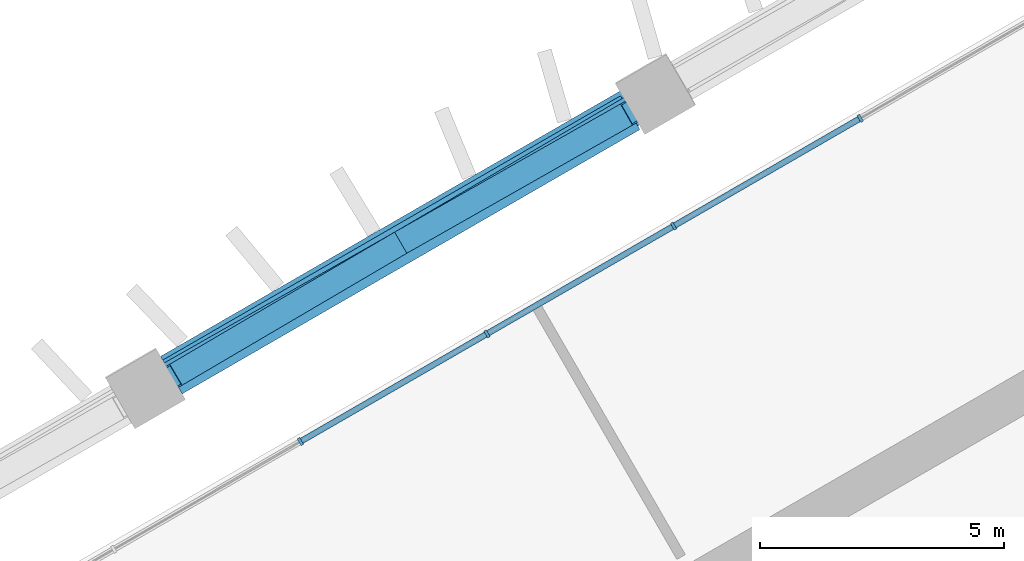
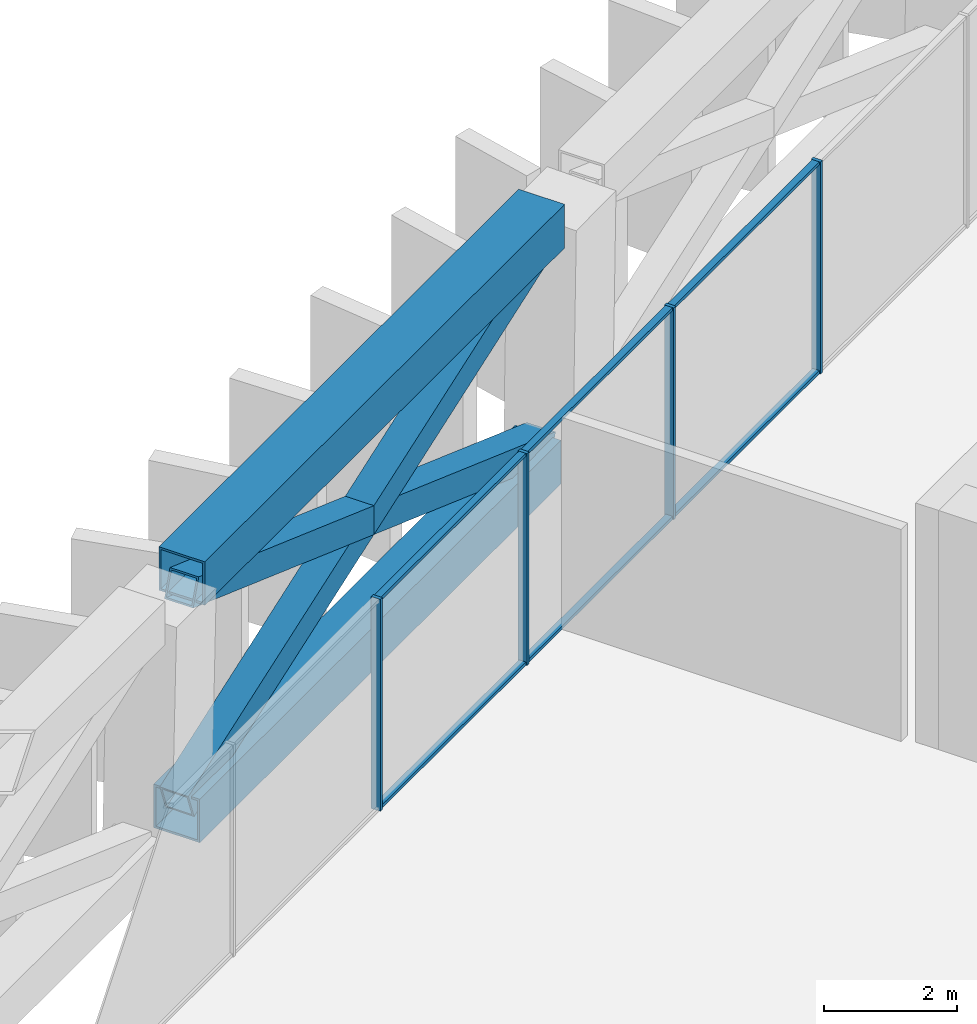
# One storey, part 9 of 18: 14 members, 1 element without a shape of its own.
"""IFC4 building model written with IfcOpenShell, lengths in metres."""

from ifc_helpers import new_model, si_unit, direction, frame, origin, origin_2d, place, context, subcontext, project, spatial, rectangle, hollow_rectangle, extrude, material, layer, layer_set, material_profile, profile_set, type_object, element, aggregate, save


model = new_model("IFC4")

# Units and contexts
model_context = context("Model", 3, precision=1e-05, world=origin(), true_north=direction((0.0, 1.0)))
body_context = subcontext(model_context, "Body", "Model", "MODEL_VIEW")
ifc_project = project(units=[si_unit("LENGTHUNIT", "METRE"), si_unit("AREAUNIT", "SQUARE_METRE"), si_unit("VOLUMEUNIT", "CUBIC_METRE"), si_unit("PLANEANGLEUNIT", "RADIAN"), si_unit("MASSUNIT", "GRAM", prefix="KILO")], contexts=[model_context])

# Site, building, storey
site_placement = place(None, origin())
site = spatial("IfcSite", under=ifc_project, at=site_placement, CompositionType="ELEMENT")
building_placement = place(site_placement, origin())
building = spatial("IfcBuilding", under=site, at=building_placement, Name="Jabali Bay Hotel Tower and Convention Centre", CompositionType="ELEMENT")
storey_placement = place(building_placement, frame((0.0, 0.0, 52.89990234375)))
storey = spatial("IfcBuildingStorey", under=building, at=storey_placement, Name="L11", CompositionType="ELEMENT", Elevation=52.89990234375)

# Members
ifc_material_1 = material(Name="Steel Q420GJC", Category="steel")
ifc_material_profile_1 = material_profile(ifc_material_1, hollow_rectangle(XDim=0.5, YDim=0.5, WallThickness=0.030029296875, at=origin_2d()), Name="Belt brace 500x500x30")
ifc_profile_set_1 = profile_set([ifc_material_profile_1], Name="Steel Q420GJC")
member_type_1 = type_object("IfcMemberType", Name="Belt brace 500x500x30", PredefinedType="BRACE", material=ifc_profile_set_1)
member_1_placement = place(storey_placement, frame((73.1640625, 106.171630859375, 0.21826171875), z_axis=(-0.810373063669, -0.475851500958, 0.341849157841), x_axis=(0.506357064976, -0.862323908255, 0.0)))
element("IfcMember", 1, at=member_1_placement, inside=storey, type_object=member_type_1, Name="Belt brace T1 F1.2-F1.3 x1", PredefinedType="BRACE", context=body_context, shape_type="SweptSolid", body=[
    extrude(hollow_rectangle(XDim=0.5, YDim=0.5, WallThickness=0.030029296875, at=origin_2d()), origin(), (0.0, 0.0, 1.0), 11.5947265625),
])
member_2_placement = place(storey_placement, frame((63.72802734375, 100.7236328125, 0.21923828125), z_axis=(0.816922503368, 0.463663288519, 0.343007257023), x_axis=(-0.493609199547, 0.869683826527, 0.0)))
element("IfcMember", 2, at=member_2_placement, inside=storey, type_object=member_type_1, Name="Belt brace T1 F1.2-F1.3 x2", PredefinedType="BRACE", context=body_context, shape_type="SweptSolid", body=[
    extrude(hollow_rectangle(XDim=0.5, YDim=0.5, WallThickness=0.030029296875, at=origin_2d()), origin(), (0.0, 0.0, 1.0), 11.5498046875),
])
ifc_material_profile_2 = material_profile(ifc_material_1, hollow_rectangle(XDim=0.800048828125, YDim=0.800048828125, WallThickness=0.0400390625, at=origin_2d()), Name="Belt chord 800x800x40")
ifc_profile_set_2 = profile_set([ifc_material_profile_2], Name="Steel Q420GJC")
member_type_2 = type_object("IfcMemberType", Name="Belt chord 800x800x40", PredefinedType="CHORD", material=ifc_profile_set_2)
member_3_placement = place(storey_placement, frame((73.161865234375, 106.175537109375, 0.0), z_axis=(-0.866021405433, -0.500006925284, 0.0), x_axis=(0.500006925284, -0.866021405433, 0.0)))
element("IfcMember", 3, at=member_3_placement, inside=storey, type_object=member_type_2, Name="Belt chord T1 F1.2-F1.3", PredefinedType="CHORD", context=body_context, shape_type="SweptSolid", body=[
    extrude(hollow_rectangle(XDim=0.800048828125, YDim=0.800048828125, WallThickness=0.0400390625, at=origin_2d()), origin(), (0.0, 0.0, 1.0), 10.895751953125),
])
member_4_placement = place(storey_placement, frame((73.16552734375, 106.074951171875, 4.400146484375), z_axis=(-0.866027064346, -0.499997123812, 0.0), x_axis=(0.499997123812, -0.866027064346, 0.0)))
element("IfcMember", 4, at=member_4_placement, inside=storey, type_object=member_type_2, Name="Belt chord T1 F1.2-F1.3", PredefinedType="CHORD", context=body_context, shape_type="SweptSolid", body=[
    extrude(hollow_rectangle(XDim=0.800048828125, YDim=0.800048828125, WallThickness=0.0400390625, at=origin_2d()), origin(), (0.0, 0.0, 1.0), 10.8486328125),
])

# Curtain wall, members
ifc_material_2 = material(Name="Aluminium and glass", Category="aluminium")
ifc_layer = layer(ifc_material_2, 0.159912109375)
ifc_layer_set = layer_set([ifc_layer], Name="Aluminium and glass")
curtain_wall_type = type_object("IfcCurtainWallType", Name="CW3 curtain wall", PredefinedType="NOTDEFINED", material=ifc_layer_set)
curtain_wall_placement = place(storey_placement, origin())
curtain_wall = element("IfcCurtainWall", 5, at=curtain_wall_placement, inside=storey, type_object=curtain_wall_type, Name="CW3 curtain wall north-west face L11", PredefinedType="NOTDEFINED")
ifc_material_3 = material(Name="Aluminium", Category="aluminium")
ifc_material_profile_3 = material_profile(ifc_material_3, rectangle(XDim=0.159912109375, YDim=0.06005859375, at=origin_2d()), Name="CW3 mullion 60 x 160")
ifc_profile_set_3 = profile_set([ifc_material_profile_3], Name="Aluminium")
member_type_3 = type_object("IfcMemberType", Name="CW3 mullion 60 x 160", PredefinedType="MULLION", material=ifc_profile_set_3)
member_5_placement = place(storey_placement, frame((66.396240234375, 99.324951171875, 0.0), z_axis=(0.0, 0.0, 1.0), x_axis=(-0.500000005895, 0.866025400381, 0.0)))
member_5 = element("IfcMember", 6, at=member_5_placement, type_object=member_type_3, Name="CW3 mullion 8", PredefinedType="MULLION", context=body_context, shape_type="SweptSolid", body=[
    extrude(rectangle(XDim=0.159912109375, YDim=0.06005859375, at=origin_2d()), origin(), (0.0, 0.0, 1.0), 3.900146484375),
])
member_6_placement = place(storey_placement, frame((70.2265625, 101.5361328125, 0.0), z_axis=(0.0, 0.0, 1.0), x_axis=(-0.500000005895, 0.866025400381, 0.0)))
member_6 = element("IfcMember", 7, at=member_6_placement, type_object=member_type_3, Name="CW3 mullion 9", PredefinedType="MULLION", context=body_context, shape_type="SweptSolid", body=[
    extrude(rectangle(XDim=0.159912109375, YDim=0.06005859375, at=origin_2d()), origin(), (0.0, 0.0, 1.0), 3.900146484375),
])
member_7_placement = place(storey_placement, frame((74.056640625, 103.74755859375, 0.0), z_axis=(0.0, 0.0, 1.0), x_axis=(-0.500000005895, 0.866025400381, 0.0)))
member_7 = element("IfcMember", 8, at=member_7_placement, type_object=member_type_3, Name="CW3 mullion 10", PredefinedType="MULLION", context=body_context, shape_type="SweptSolid", body=[
    extrude(rectangle(XDim=0.159912109375, YDim=0.06005859375, at=origin_2d()), origin(), (0.0, 0.0, 1.0), 3.900146484375),
])
member_8_placement = place(storey_placement, frame((77.886962890625, 105.958984375, 0.0), z_axis=(0.0, 0.0, 1.0), x_axis=(-0.500000005895, 0.866025400381, 0.0)))
member_8 = element("IfcMember", 9, at=member_8_placement, type_object=member_type_3, Name="CW3 mullion 11", PredefinedType="MULLION", context=body_context, shape_type="SweptSolid", body=[
    extrude(rectangle(XDim=0.159912109375, YDim=0.06005859375, at=origin_2d()), origin(), (0.0, 0.0, 1.0), 3.900146484375),
])
ifc_material_profile_4 = material_profile(ifc_material_3, rectangle(XDim=0.1201171875, YDim=0.06005859375, at=origin_2d()), Name="CW3 transom 60 x 120")
ifc_profile_set_4 = profile_set([ifc_material_profile_4], Name="Aluminium")
member_type_4 = type_object("IfcMemberType", Name="CW3 transom 60 x 120", PredefinedType="USERDEFINED", material=ifc_profile_set_4)
member_9_placement = place(storey_placement, frame((66.42236328125, 99.33984375, 0.030029296875), z_axis=(0.866013176292, 0.50002117804, 0.0), x_axis=(-0.50002117804, 0.866013176292, 0.0)))
member_9 = element("IfcMember", 10, at=member_9_placement, type_object=member_type_4, Name="CW3 transom 8.1", ObjectType="TRANSOM", PredefinedType="USERDEFINED", context=body_context, shape_type="SweptSolid", body=[
    extrude(rectangle(XDim=0.1201171875, YDim=0.06005859375, at=origin_2d()), origin(), (0.0, 0.0, 1.0), 4.362548828125),
])
member_10_placement = place(storey_placement, frame((66.42236328125, 99.33984375, 3.8701171875), z_axis=(0.866013176292, 0.50002117804, 0.0), x_axis=(-0.50002117804, 0.866013176292, 0.0)))
member_10 = element("IfcMember", 11, at=member_10_placement, type_object=member_type_4, Name="CW3 transom 8.2", ObjectType="TRANSOM", PredefinedType="USERDEFINED", context=body_context, shape_type="SweptSolid", body=[
    extrude(rectangle(XDim=0.1201171875, YDim=0.06005859375, at=origin_2d()), origin(), (0.0, 0.0, 1.0), 4.362548828125),
])
member_11_placement = place(storey_placement, frame((70.25244140625, 101.55126953125, 0.030029296875), z_axis=(0.86602716698, 0.499996946043, 0.0), x_axis=(-0.499996946043, 0.86602716698, 0.0)))
member_11 = element("IfcMember", 12, at=member_11_placement, type_object=member_type_4, Name="CW3 transom 9.1", ObjectType="TRANSOM", PredefinedType="USERDEFINED", context=body_context, shape_type="SweptSolid", body=[
    extrude(rectangle(XDim=0.1201171875, YDim=0.06005859375, at=origin_2d()), origin(), (0.0, 0.0, 1.0), 4.36279296875),
])
member_12_placement = place(storey_placement, frame((70.25244140625, 101.55126953125, 3.8701171875), z_axis=(0.86602716698, 0.499996946043, 0.0), x_axis=(-0.499996946043, 0.86602716698, 0.0)))
member_12 = element("IfcMember", 13, at=member_12_placement, type_object=member_type_4, Name="CW3 transom 9.2", ObjectType="TRANSOM", PredefinedType="USERDEFINED", context=body_context, shape_type="SweptSolid", body=[
    extrude(rectangle(XDim=0.1201171875, YDim=0.06005859375, at=origin_2d()), origin(), (0.0, 0.0, 1.0), 4.36279296875),
])
member_13_placement = place(storey_placement, frame((74.08251953125, 103.762451171875, 0.030029296875), z_axis=(0.86602716698, 0.499996946043, 0.0), x_axis=(-0.499996946043, 0.86602716698, 0.0)))
member_13 = element("IfcMember", 14, at=member_13_placement, type_object=member_type_4, Name="CW3 transom 10.1", ObjectType="TRANSOM", PredefinedType="USERDEFINED", context=body_context, shape_type="SweptSolid", body=[
    extrude(rectangle(XDim=0.1201171875, YDim=0.06005859375, at=origin_2d()), origin(), (0.0, 0.0, 1.0), 4.36279296875),
])
member_14_placement = place(storey_placement, frame((74.08251953125, 103.762451171875, 3.8701171875), z_axis=(0.86602716698, 0.499996946043, 0.0), x_axis=(-0.499996946043, 0.86602716698, 0.0)))
member_14 = element("IfcMember", 15, at=member_14_placement, type_object=member_type_4, Name="CW3 transom 10.2", ObjectType="TRANSOM", PredefinedType="USERDEFINED", context=body_context, shape_type="SweptSolid", body=[
    extrude(rectangle(XDim=0.1201171875, YDim=0.06005859375, at=origin_2d()), origin(), (0.0, 0.0, 1.0), 4.36279296875),
])
aggregate(curtain_wall, [member_5, member_6, member_7, member_8, member_9, member_10, member_11, member_12, member_13, member_14])

save(model, "model.ifc")
